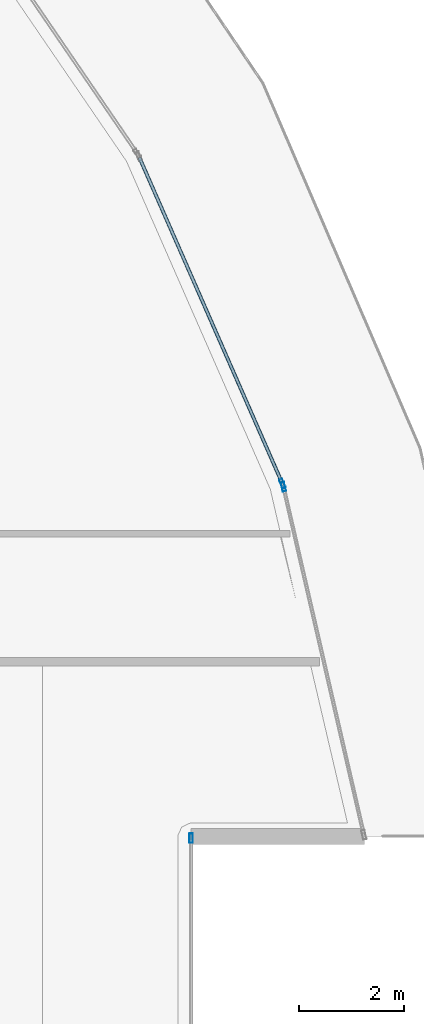
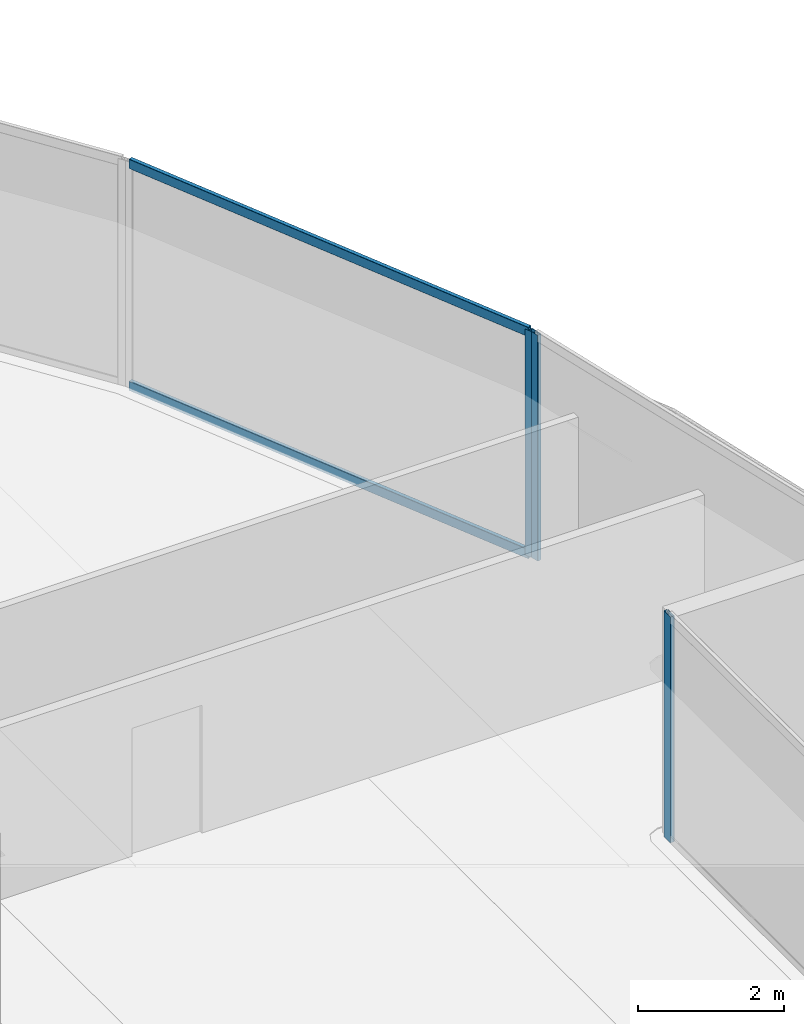
# One storey, part 19 of 42: 5 members, 3 elements without a shape of their own.
"""IFC4 building model written with IfcOpenShell, lengths in metres."""

from ifc_helpers import new_model, si_unit, direction, frame, origin, origin_2d, place, context, subcontext, project, spatial, hollow_rectangle, extrude, material, layer, layer_set, material_profile, profile_set, type_object, element, aggregate, save


model = new_model("IFC4")

# Units and contexts
model_context = context("Model", 3, precision=1e-05, world=origin(), true_north=direction((0.0, 1.0)))
body_context = subcontext(model_context, "Body", "Model", "MODEL_VIEW")
ifc_project = project(units=[si_unit("LENGTHUNIT", "METRE"), si_unit("AREAUNIT", "SQUARE_METRE"), si_unit("VOLUMEUNIT", "CUBIC_METRE"), si_unit("PLANEANGLEUNIT", "RADIAN"), si_unit("MASSUNIT", "GRAM", prefix="KILO")], contexts=[model_context])

# Site, building, storey
site_placement = place(None, origin())
site = spatial("IfcSite", under=ifc_project, at=site_placement, CompositionType="ELEMENT")
building_placement = place(site_placement, origin())
building = spatial("IfcBuilding", under=site, at=building_placement, Name="Qorvath Tower", CompositionType="ELEMENT")
storey_placement = place(building_placement, frame((0.0, 0.0, 117.89990234375)))
storey = spatial("IfcBuildingStorey", under=building, at=storey_placement, Name="L26", CompositionType="ELEMENT", Elevation=117.89990234375)

# Curtain wall, member
ifc_material_1 = material(Name="Anodised aluminium and triple low-E glass", Category="aluminium")
ifc_layer = layer(ifc_material_1, 0.179931640625)
ifc_layer_set = layer_set([ifc_layer], Name="CW-SYS-2")
curtain_wall_type = type_object("IfcCurtainWallType", Name="CW-SYS-2", PredefinedType="NOTDEFINED", material=ifc_layer_set)
curtain_wall_1_placement = place(storey_placement, origin())
curtain_wall_1 = element("IfcCurtainWall", 1, at=curtain_wall_1_placement, inside=storey, type_object=curtain_wall_type, Name="Curtain Wall CW-2 CW-T-L26-9.1", PredefinedType="NOTDEFINED")
ifc_material_2 = material(Name="Anodised aluminium 6063-T6", Category="aluminium")
ifc_material_profile_1 = material_profile(ifc_material_2, hollow_rectangle(XDim=0.06494140625, YDim=0.179931640625, WallThickness=0.00341796875, InnerFilletRadius=0.00341796875, OuterFilletRadius=0.007080078125, at=origin_2d()), Name="CWM 180x65")
ifc_profile_set_1 = profile_set([ifc_material_profile_1], Name="Anodised aluminium 6063-T6")
member_type_1 = type_object("IfcMemberType", Name="CWM-180", PredefinedType="MULLION", material=ifc_profile_set_1)
member_1_placement = place(storey_placement, frame((1.386962890625, 4.935546875, 0.0), z_axis=(0.0, 0.0, 1.0), x_axis=(-1.0, 0.0, 0.0)))
member_1 = element("IfcMember", 2, at=member_1_placement, type_object=member_type_1, Name="CW-2 mullion 3", PredefinedType="MULLION", context=body_context, shape_type="SweptSolid", body=[
    extrude(hollow_rectangle(XDim=0.06494140625, YDim=0.179931640625, WallThickness=0.00341796875, InnerFilletRadius=0.00341796875, OuterFilletRadius=0.007080078125, at=origin_2d()), origin(), (0.0, 0.0, 1.0), 3.77001953125),
])
aggregate(curtain_wall_1, [member_1])

curtain_wall_2_placement = place(storey_placement, origin())
curtain_wall_2 = element("IfcCurtainWall", 3, at=curtain_wall_2_placement, inside=storey, type_object=curtain_wall_type, Name="Curtain Wall CW-2 CW-T-L26-11.1", PredefinedType="NOTDEFINED")
member_2_placement = place(storey_placement, frame((3.151611328125, 11.660400390625, 0.0), z_axis=(0.0, 0.0, 1.0), x_axis=(-0.974296356855, -0.225270080166, 0.0)))
member_2 = element("IfcMember", 4, at=member_2_placement, type_object=member_type_1, Name="CW-2 mullion 2", PredefinedType="MULLION", context=body_context, shape_type="SweptSolid", body=[
    extrude(hollow_rectangle(XDim=0.06494140625, YDim=0.179931640625, WallThickness=0.00341796875, InnerFilletRadius=0.00341796875, OuterFilletRadius=0.007080078125, at=origin_2d()), origin(), (0.0, 0.0, 1.0), 3.77001953125),
])
aggregate(curtain_wall_2, [member_2])

# Curtain wall, members
curtain_wall_3_placement = place(storey_placement, origin())
curtain_wall_3 = element("IfcCurtainWall", 5, at=curtain_wall_3_placement, inside=storey, type_object=curtain_wall_type, Name="Curtain Wall CW-2 CW-T-L26-12.1", PredefinedType="NOTDEFINED")
member_3_placement = place(storey_placement, frame((3.13134765625, 11.721923828125, 0.0), z_axis=(0.0, 0.0, 1.0), x_axis=(-0.915793818987, -0.401648703602, 0.0)))
member_3 = element("IfcMember", 6, at=member_3_placement, type_object=member_type_1, Name="CW-2 mullion 1", PredefinedType="MULLION", context=body_context, shape_type="SweptSolid", body=[
    extrude(hollow_rectangle(XDim=0.06494140625, YDim=0.179931640625, WallThickness=0.00341796875, InnerFilletRadius=0.00341796875, OuterFilletRadius=0.007080078125, at=origin_2d()), origin(), (0.0, 0.0, 1.0), 3.77001953125),
])
ifc_material_3 = material(Name="Anodised aluminium 6063-T6", Category="aluminium")
ifc_material_profile_2 = material_profile(ifc_material_3, hollow_rectangle(XDim=0.06494140625, YDim=0.159912109375, WallThickness=0.00341796875, InnerFilletRadius=0.00341796875, OuterFilletRadius=0.007080078125, at=origin_2d()), Name="CWT 160x65")
ifc_profile_set_2 = profile_set([ifc_material_profile_2], Name="Anodised aluminium 6063-T6")
member_type_2 = type_object("IfcMemberType", Name="CWT-160", PredefinedType="USERDEFINED", material=ifc_profile_set_2)
member_4_placement = place(storey_placement, frame((3.1181640625, 11.751708984375, 0.032470703125), z_axis=(-0.40165088522, 0.91579286217, 0.0), x_axis=(-0.91579286217, -0.40165088522, 0.0)))
member_4 = element("IfcMember", 7, at=member_4_placement, type_object=member_type_2, Name="CW-2 transom 1.1", ObjectType="TRANSOM", PredefinedType="USERDEFINED", context=body_context, shape_type="SweptSolid", body=[
    extrude(hollow_rectangle(XDim=0.06494140625, YDim=0.159912109375, WallThickness=0.00341796875, InnerFilletRadius=0.00341796875, OuterFilletRadius=0.007080078125, at=origin_2d()), origin(), (0.0, 0.0, 1.0), 6.771484375),
])
member_5_placement = place(storey_placement, frame((3.1181640625, 11.751708984375, 3.737548828125), z_axis=(-0.40165088522, 0.91579286217, 0.0), x_axis=(-0.91579286217, -0.40165088522, 0.0)))
member_5 = element("IfcMember", 8, at=member_5_placement, type_object=member_type_2, Name="CW-2 transom 1.2", ObjectType="TRANSOM", PredefinedType="USERDEFINED", context=body_context, shape_type="SweptSolid", body=[
    extrude(hollow_rectangle(XDim=0.06494140625, YDim=0.159912109375, WallThickness=0.00341796875, InnerFilletRadius=0.00341796875, OuterFilletRadius=0.007080078125, at=origin_2d()), origin(), (0.0, 0.0, 1.0), 6.771484375),
])
aggregate(curtain_wall_3, [member_3, member_4, member_5])

save(model, "model.ifc")
